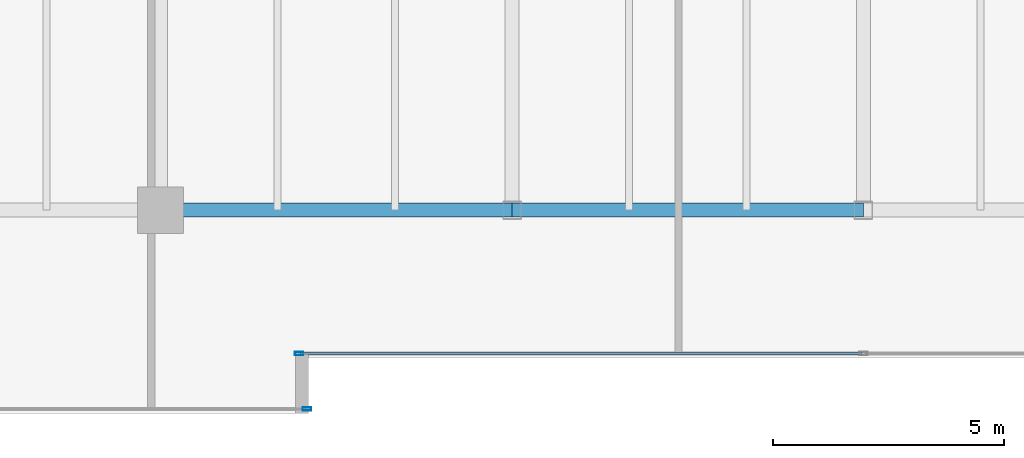
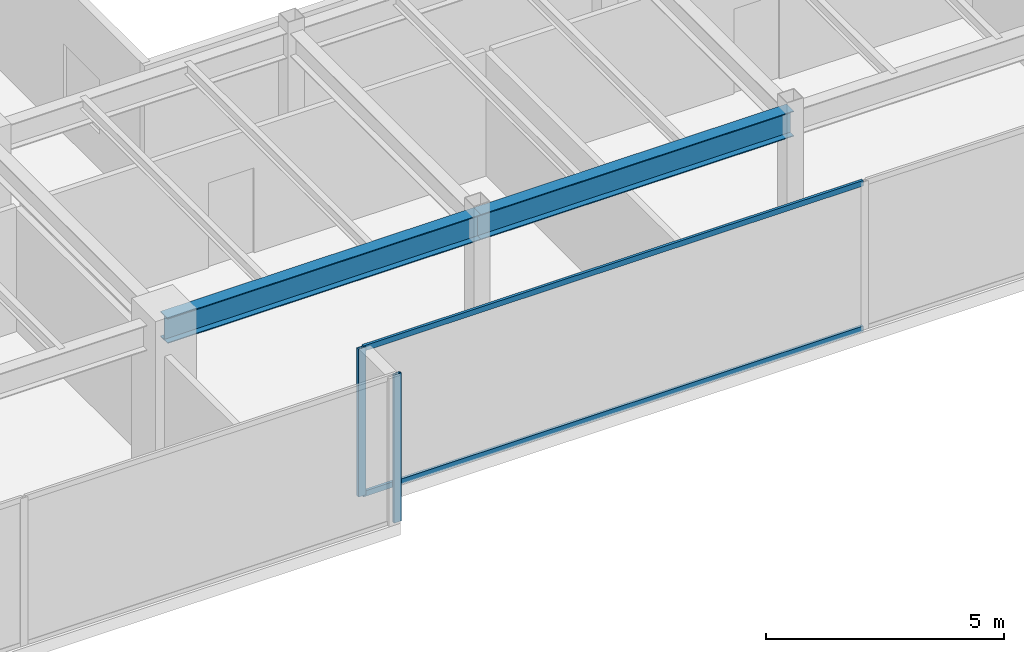
# One storey, part 7 of 33: 4 members, 2 beams, 2 elements without a shape of their own.
"""IFC4 building model written with IfcOpenShell, lengths in metres."""

from ifc_helpers import new_model, si_unit, direction, frame, origin, origin_2d, place, context, subcontext, project, spatial, hollow_rectangle, i_section, extrude, source, transform, mapped, material, layer, layer_set, material_profile, profile_set, type_object, type_shapes, element, aggregate, save


model = new_model("IFC4")

# Units and contexts
model_context = context("Model", 3, precision=1e-05, world=origin(), true_north=direction((0.0, 1.0)))
body_context = subcontext(model_context, "Body", "Model", "MODEL_VIEW")
ifc_project = project(units=[si_unit("LENGTHUNIT", "METRE"), si_unit("AREAUNIT", "SQUARE_METRE"), si_unit("VOLUMEUNIT", "CUBIC_METRE"), si_unit("PLANEANGLEUNIT", "RADIAN"), si_unit("MASSUNIT", "GRAM", prefix="KILO")], contexts=[model_context])

# Site, building, storey
site_placement = place(None, origin())
site = spatial("IfcSite", under=ifc_project, at=site_placement, CompositionType="ELEMENT")
building_placement = place(site_placement, origin())
building = spatial("IfcBuilding", under=site, at=building_placement, Name="Haelvirn Gate Laboratories", CompositionType="ELEMENT")
storey_placement = place(building_placement, frame((0.0, 0.0, 209.60009765625)))
storey = spatial("IfcBuildingStorey", under=building, at=storey_placement, Name="L50", CompositionType="ELEMENT", Elevation=209.60009765625)

# Beams
ifc_material_1 = material(Name="Steel SM355", Category="steel")
ifc_material_profile_1 = material_profile(ifc_material_1, i_section(OverallWidth=0.300048828125, OverallDepth=0.64990234375, WebThickness=0.012939453125, FlangeThickness=0.02197265625, at=origin_2d()), Name="H-650x300x13x22")
ifc_profile_set_1 = profile_set([ifc_material_profile_1], Name="Steel SM355")
beam_type = type_object("IfcBeamType", Name="BM-G-650", PredefinedType="BEAM", material=ifc_profile_set_1)
shared_shape_1 = source(origin(), body_context, "Body", "SweptSolid", [
    extrude(i_section(OverallWidth=0.300048828125, OverallDepth=0.64990234375, WebThickness=0.012939453125, FlangeThickness=0.02197265625, at=origin_2d()), origin(), (0.0, 0.0, 1.0), 7.60009765625),
])
beam_1_placement = place(storey_placement, frame((22.199951171875, 7.0, 3.474853515625), z_axis=(1.0, 0.0, 0.0), x_axis=(0.0, 1.0, 0.0)))
element("IfcBeam", 1, at=beam_1_placement, inside=storey, type_object=beam_type, Name="L50 Primary Girder Y7.0 (22.2-29.8)", PredefinedType="BEAM", context=body_context, shape_type="MappedRepresentation", body=[
    mapped(shared_shape_1, transform((0.0, 0.0, 0.0), scale=1.0)),
])
shared_shape_2 = source(origin(), body_context, "Body", "SweptSolid", [
    extrude(i_section(OverallWidth=0.300048828125, OverallDepth=0.64990234375, WebThickness=0.012939453125, FlangeThickness=0.02197265625, at=origin_2d()), origin(), (0.0, 0.0, 1.0), 7.599853515625),
])
type_shapes(beam_type, [shared_shape_1, shared_shape_2])
beam_2_placement = place(storey_placement, frame((29.800048828125, 7.0, 3.474853515625), z_axis=(1.0, 0.0, 0.0), x_axis=(0.0, 1.0, 0.0)))
element("IfcBeam", 2, at=beam_2_placement, inside=storey, type_object=beam_type, Name="L50 Primary Girder Y7.0 (29.8-37.4)", PredefinedType="BEAM", context=body_context, shape_type="MappedRepresentation", body=[
    mapped(shared_shape_2, transform((0.0, 0.0, 0.0), scale=1.0)),
])

# Curtain wall, members
ifc_material_2 = material(Name="Anodised bronze unitised aluminium & triple low-E glass", Category="aluminium")
ifc_layer = layer(ifc_material_2, 0.176025390625, Name="CW-SYS-4")
ifc_layer_set = layer_set([ifc_layer], Name="Anodised bronze unitised aluminium & triple low-E glass")
curtain_wall_type = type_object("IfcCurtainWallType", Name="CW-SYS-4", PredefinedType="NOTDEFINED", material=ifc_layer_set)
curtain_wall_1_placement = place(storey_placement, origin())
curtain_wall_1 = element("IfcCurtainWall", 3, at=curtain_wall_1_placement, inside=storey, type_object=curtain_wall_type, Name="L50 Unitised Curtain Wall CW-L50-P0-E02-1", PredefinedType="NOTDEFINED")
ifc_material_3 = material(Name="Extruded aluminium 6063-T6 (anodised bronze)", Category="aluminium")
ifc_material_profile_2 = material_profile(ifc_material_3, hollow_rectangle(XDim=0.06494140625, YDim=0.139892578125, WallThickness=0.00390625, at=origin_2d()), Name="CWT-140x65x4")
ifc_profile_set_2 = profile_set([ifc_material_profile_2], Name="Extruded aluminium 6063-T6 (anodised bronze)")
member_type_1 = type_object("IfcMemberType", Name="CWT-T140", PredefinedType="USERDEFINED", material=ifc_profile_set_2)
shared_shape_3 = source(origin(), body_context, "Body", "SweptSolid", [
    extrude(hollow_rectangle(XDim=0.06494140625, YDim=0.139892578125, WallThickness=0.00390625, at=origin_2d()), origin(), (0.0, 0.0, 1.0), 12.135009765625),
])
type_shapes(member_type_1, [shared_shape_3])
member_1_placement = place(storey_placement, frame((25.22998046875, 3.89990234375, 0.032470703125), z_axis=(1.0, 0.0, 0.0), x_axis=(0.0, 1.0, 0.0)))
member_1 = element("IfcMember", 4, at=member_1_placement, type_object=member_type_1, Name="CW4 transom 1.1", ObjectType="TRANSOM", PredefinedType="USERDEFINED", context=body_context, shape_type="MappedRepresentation", body=[
    mapped(shared_shape_3, transform((0.0, 0.0, 0.0), scale=1.0)),
])
member_2_placement = place(storey_placement, frame((25.22998046875, 3.89990234375, 3.767333984375), z_axis=(1.0, 0.0, 0.0), x_axis=(0.0, 1.0, 0.0)))
member_2 = element("IfcMember", 5, at=member_2_placement, type_object=member_type_1, Name="CW4 transom 1.2", ObjectType="TRANSOM", PredefinedType="USERDEFINED", context=body_context, shape_type="MappedRepresentation", body=[
    mapped(shared_shape_3, transform((0.0, 0.0, 0.0), scale=1.0)),
])

# Curtain wall, member
curtain_wall_2_placement = place(storey_placement, origin())
curtain_wall_2 = element("IfcCurtainWall", 6, at=curtain_wall_2_placement, inside=storey, type_object=curtain_wall_type, Name="L50 Unitised Curtain Wall CW-L50-P0-E00-1", PredefinedType="NOTDEFINED")
ifc_material_profile_3 = material_profile(ifc_material_3, hollow_rectangle(XDim=0.070068359375, YDim=0.179931640625, WallThickness=0.0048828125, at=origin_2d()), Name="CWM-180x70x5")
ifc_profile_set_3 = profile_set([ifc_material_profile_3], Name="Extruded aluminium 6063-T6 (anodised bronze)")
member_type_2 = type_object("IfcMemberType", Name="CWM-T180", PredefinedType="MULLION", material=ifc_profile_set_3)
shared_shape_4 = source(origin(), body_context, "Body", "SweptSolid", [
    extrude(hollow_rectangle(XDim=0.070068359375, YDim=0.179931640625, WallThickness=0.0048828125, at=origin_2d()), origin(), (0.0, 0.0, 1.0), 3.7998046875),
])
type_shapes(member_type_2, [shared_shape_4])
member_3_placement = place(storey_placement, frame((25.364990234375, 2.699951171875, 0.0), z_axis=(0.0, 0.0, 1.0), x_axis=(0.0, 1.0, 0.0)))
member_3 = element("IfcMember", 7, at=member_3_placement, type_object=member_type_2, Name="CW4 mullion 3", PredefinedType="MULLION", context=body_context, shape_type="MappedRepresentation", body=[
    mapped(shared_shape_4, transform((0.0, 0.0, 0.0), scale=1.0)),
])
aggregate(curtain_wall_2, [member_3])

# Member
member_4_placement = place(storey_placement, frame((25.195068359375, 3.89990234375, 0.0), z_axis=(0.0, 0.0, 1.0), x_axis=(0.0, 1.0, 0.0)))
member_4 = element("IfcMember", 8, at=member_4_placement, type_object=member_type_2, Name="CW4 mullion 1", PredefinedType="MULLION", context=body_context, shape_type="MappedRepresentation", body=[
    mapped(shared_shape_4, transform((0.0, 0.0, 0.0), scale=1.0)),
])

aggregate(curtain_wall_1, [member_4, member_1, member_2])

save(model, "model.ifc")
